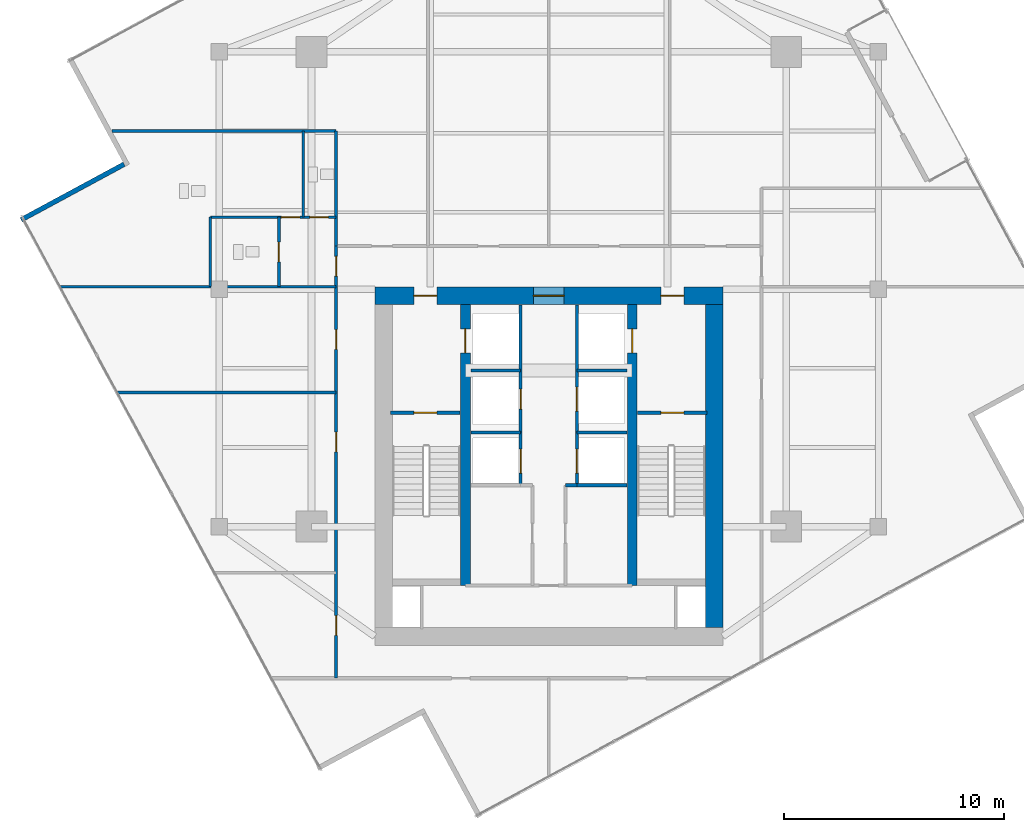
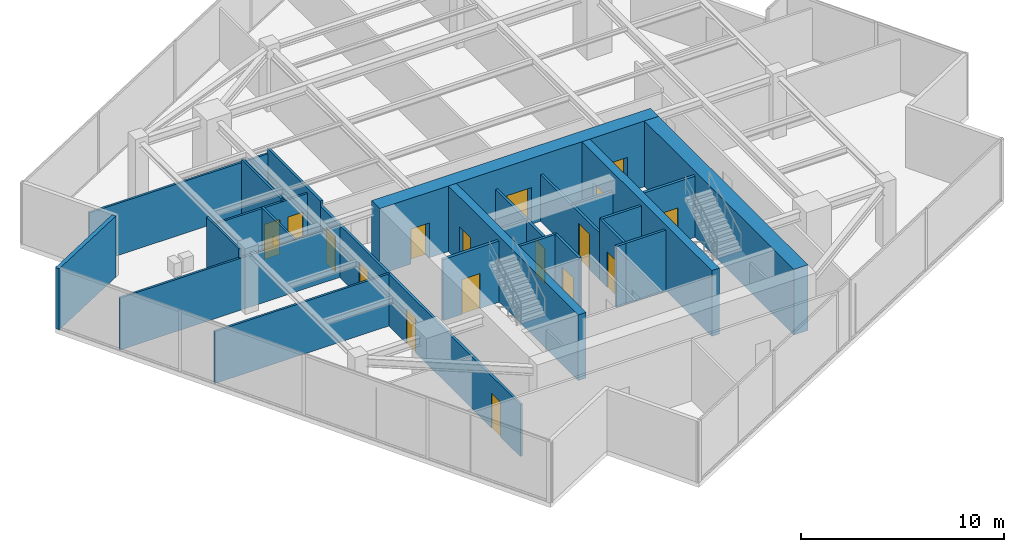
# One storey, part 19 of 22: 26 walls, 18 doors, 18 openings.
"""IFC4 building model written with IfcOpenShell, lengths in metres."""

from ifc_helpers import new_model, si_unit, direction, frame, frame_2d, origin, place, context, subcontext, project, spatial, rectangle, extrude, material, layer, layer_set, type_object, element, fill, save


model = new_model("IFC4")

# Units and contexts
model_context = context("Model", 3, precision=1e-05, world=origin(), true_north=direction((0.0, 1.0)))
body_context = subcontext(model_context, "Body", "Model", "MODEL_VIEW")
ifc_project = project(units=[si_unit("LENGTHUNIT", "METRE"), si_unit("AREAUNIT", "SQUARE_METRE"), si_unit("VOLUMEUNIT", "CUBIC_METRE"), si_unit("PLANEANGLEUNIT", "RADIAN"), si_unit("MASSUNIT", "GRAM", prefix="KILO")], contexts=[model_context])

# Site, building, storey
site_placement = place(None, origin())
site = spatial("IfcSite", under=ifc_project, at=site_placement, CompositionType="ELEMENT")
building_placement = place(site_placement, origin())
building = spatial("IfcBuilding", under=site, at=building_placement, Name="Krantzveldt Concourse Tower", CompositionType="ELEMENT")
storey_placement = place(building_placement, frame((0.0, 0.0, 306.89990234375)))
storey = spatial("IfcBuildingStorey", under=building, at=storey_placement, Name="L75", CompositionType="ELEMENT", Elevation=306.89990234375)

# Walls
ifc_material_1 = material(Name="Anodised aluminium 6063-T6", Category="aluminium")
ifc_layer_1 = layer(ifc_material_1, 0.219970703125, Name="Anodised aluminium 6063-T6", Category="aluminium")
ifc_layer_set_1 = layer_set([ifc_layer_1], Name="Anodised aluminium 6063-T6 (WL-EXT-NOTCH220)")
wall_type_1 = type_object("IfcWallType", Name="WL-EXT-NOTCH220", PredefinedType="ELEMENTEDWALL", material=ifc_layer_set_1)
wall_1_placement = place(storey_placement, frame((16.67431640625, 32.38916015625, 0.0), z_axis=(0.0, 0.0, 1.0), x_axis=(-0.879859387449, -0.475234108958, 0.0)))
element("IfcWall", 1, at=wall_1_placement, inside=storey, type_object=wall_type_1, Name="EW-L75-NCH03", PredefinedType="ELEMENTEDWALL", context=body_context, shape_type="SweptSolid", body=[
    extrude(rectangle(XDim=5.32470703125, YDim=0.219970703125, at=frame_2d((2.662353515625, 0.0))), origin(), (0.0, 0.0, 1.0), 3.670166015625),
])
ifc_material_2 = material(Name="Fire-rated gypsum plasterboard on steel stud", Category="steel")
ifc_layer_2 = layer(ifc_material_2, 0.1201171875, Name="Fire-rated gypsum plasterboard on steel stud", Category="steel")
ifc_layer_set_2 = layer_set([ifc_layer_2], Name="Fire-rated gypsum plasterboard on steel stud (WL-PART-120)")
wall_type_2 = type_object("IfcWallType", Name="WL-PART-120", PredefinedType="PARTITIONING", material=ifc_layer_set_2)
wall_2_placement = place(storey_placement, frame((13.760986328125, 26.820068359375, 0.0), z_axis=(0.0, 0.0, 1.0), x_axis=(1.0, 0.0, 0.0)))
element("IfcWall", 2, at=wall_2_placement, inside=storey, type_object=wall_type_2, Name="WP-L75-WCBS", PredefinedType="PARTITIONING", context=body_context, shape_type="SweptSolid", body=[
    extrude(rectangle(XDim=12.55908203125, YDim=0.1201171875, at=frame_2d((6.279541015625, 0.0))), origin(), (0.0, 0.0, 1.0), 3.130126953125),
])
wall_3_placement = place(storey_placement, frame((16.114013671875, 33.89990234375, 0.0), z_axis=(0.0, 0.0, 1.0), x_axis=(1.0, 0.0, 0.0)))
element("IfcWall", 3, at=wall_3_placement, inside=storey, type_object=wall_type_2, Name="WP-L75-WCBN", PredefinedType="PARTITIONING", context=body_context, shape_type="SweptSolid", body=[
    extrude(rectangle(XDim=10.2060546875, YDim=0.1201171875, at=frame_2d((5.10302734375, 0.0))), origin(), (0.0, 0.0, 1.0), 3.130126953125),
])

# Wall, openings, doors
wall_4_placement = place(storey_placement, frame((20.60009765625, 29.97998046875, 0.0), z_axis=(0.0, 0.0, 1.0), x_axis=(1.0, 0.0, 0.0)))
wall_4 = element("IfcWall", 4, at=wall_4_placement, inside=storey, type_object=wall_type_2, Name="WP-L75-WCMH", PredefinedType="PARTITIONING", context=body_context, shape_type="SweptSolid", body=[
    extrude(rectangle(XDim=5.719970703125, YDim=0.1201171875, at=frame_2d((2.85986328125, 0.0))), origin(), (0.0, 0.0, 1.0), 3.130126953125),
])
opening_1_placement = place(wall_4_placement, frame((3.22509765625, 0.0, 0.0)))
opening_1 = element("IfcOpeningElement", 5, at=opening_1_placement, cuts=wall_4, Name="Opening D-IN085", PredefinedType="OPENING", context=body_context, shape_type="SweptSolid", body=[
    extrude(rectangle(XDim=0.85009765625, YDim=2.10009765625, at=frame_2d((0.425048828125, 1.050048828125))), frame((0.0, 0.070068359375, 0.0), z_axis=(0.0, -1.0, 0.0), x_axis=(1.0, 0.0, 0.0)), (0.0, 0.0, 1.0), 0.14013671875),
])
opening_2_placement = place(wall_4_placement, frame((4.52490234375, 0.0, 0.0)))
opening_2 = element("IfcOpeningElement", 6, at=opening_2_placement, cuts=wall_4, Name="Opening D-IN085", PredefinedType="OPENING", context=body_context, shape_type="SweptSolid", body=[
    extrude(rectangle(XDim=0.85009765625, YDim=2.10009765625, at=frame_2d((0.425048828125, 1.050048828125))), frame((0.0, 0.070068359375, 0.0), z_axis=(0.0, -1.0, 0.0), x_axis=(1.0, 0.0, 0.0)), (0.0, 0.0, 1.0), 0.14013671875),
])
ifc_material_3 = material(Name="Hardwood timber", Category="wood")
door_type_1 = type_object("IfcDoorType", Name="DR-INT-850", OperationType="SINGLE_SWING_LEFT", PredefinedType="DOOR", material=ifc_material_3)
door_1_placement = place(opening_1_placement, origin())
door_1 = element("IfcDoor", 7, at=door_1_placement, inside=storey, type_object=door_type_1, Name="DR-L75-WCM", OperationType="SINGLE_SWING_LEFT", OverallHeight=2.10009765625, OverallWidth=0.85009765625, PredefinedType="DOOR", context=body_context, shape_type="SweptSolid", body=[
    extrude(rectangle(XDim=0.85009765625, YDim=2.10009765625, at=frame_2d((0.425048828125, 1.050048828125))), frame((0.0, 0.02490234375, 0.0), z_axis=(0.0, -1.0, 0.0), x_axis=(1.0, 0.0, 0.0)), (0.0, 0.0, 1.0), 0.050048828125),
])
fill(opening_1, door_1)
door_2_placement = place(opening_2_placement, origin())
door_2 = element("IfcDoor", 8, at=door_2_placement, inside=storey, type_object=door_type_1, Name="DR-L75-WCF", OperationType="SINGLE_SWING_RIGHT", OverallHeight=2.10009765625, OverallWidth=0.85009765625, PredefinedType="DOOR", context=body_context, shape_type="SweptSolid", body=[
    extrude(rectangle(XDim=0.85009765625, YDim=2.10009765625, at=frame_2d((0.425048828125, 1.050048828125))), frame((0.0, 0.02490234375, 0.0), z_axis=(0.0, -1.0, 0.0), x_axis=(1.0, 0.0, 0.0)), (0.0, 0.0, 1.0), 0.050048828125),
])
fill(opening_2, door_2)

# Wall
wall_5_placement = place(storey_placement, frame((20.60009765625, 26.820068359375, 0.0), z_axis=(0.0, 0.0, 1.0), x_axis=(0.0, 1.0, 0.0)))
element("IfcWall", 9, at=wall_5_placement, inside=storey, type_object=wall_type_2, Name="WP-L75-WCAL", PredefinedType="PARTITIONING", context=body_context, shape_type="SweptSolid", body=[
    extrude(rectangle(XDim=3.159912109375, YDim=0.1201171875, at=frame_2d((1.580078125, 0.0))), origin(), (0.0, 0.0, 1.0), 3.670166015625),
])

# Wall, opening, door
wall_6_placement = place(storey_placement, frame((23.719970703125, 26.820068359375, 0.0), z_axis=(0.0, 0.0, 1.0), x_axis=(0.0, 1.0, 0.0)))
wall_6 = element("IfcWall", 10, at=wall_6_placement, inside=storey, type_object=wall_type_2, Name="WP-L75-WCAV", PredefinedType="PARTITIONING", context=body_context, shape_type="SweptSolid", body=[
    extrude(rectangle(XDim=3.159912109375, YDim=0.1201171875, at=frame_2d((1.580078125, 0.0))), origin(), (0.0, 0.0, 1.0), 3.18017578125),
])
opening_3_placement = place(wall_6_placement, frame((1.1298828125, 0.0, 0.0)))
opening_3 = element("IfcOpeningElement", 11, at=opening_3_placement, cuts=wall_6, Name="Opening D-IN090", PredefinedType="OPENING", context=body_context, shape_type="SweptSolid", body=[
    extrude(rectangle(XDim=0.89990234375, YDim=2.10009765625, at=frame_2d((0.449951171875, 1.050048828125))), frame((0.0, 0.070068359375, 0.0), z_axis=(0.0, -1.0, 0.0), x_axis=(1.0, 0.0, 0.0)), (0.0, 0.0, 1.0), 0.14013671875),
])
door_type_2 = type_object("IfcDoorType", Name="DR-INT-900", OperationType="SINGLE_SWING_LEFT", PredefinedType="DOOR", material=ifc_material_3)
door_3_placement = place(opening_3_placement, origin())
door_3 = element("IfcDoor", 12, at=door_3_placement, inside=storey, type_object=door_type_2, Name="DR-L75-WCA", OperationType="SINGLE_SWING_LEFT", OverallHeight=2.10009765625, OverallWidth=0.89990234375, PredefinedType="DOOR", context=body_context, shape_type="SweptSolid", body=[
    extrude(rectangle(XDim=0.89990234375, YDim=2.10009765625, at=frame_2d((0.449951171875, 1.050048828125))), frame((0.0, 0.02490234375, 0.0), z_axis=(0.0, -1.0, 0.0), x_axis=(1.0, 0.0, 0.0)), (0.0, 0.0, 1.0), 0.050048828125),
])
fill(opening_3, door_3)

# Walls
wall_7_placement = place(storey_placement, frame((24.820068359375, 29.97998046875, 0.0), z_axis=(0.0, 0.0, 1.0), x_axis=(0.0, 1.0, 0.0)))
element("IfcWall", 13, at=wall_7_placement, inside=storey, type_object=wall_type_2, Name="WP-L75-WCFD", PredefinedType="PARTITIONING", context=body_context, shape_type="SweptSolid", body=[
    extrude(rectangle(XDim=3.919921875, YDim=0.1201171875, at=frame_2d((1.9599609375, 0.0))), origin(), (0.0, 0.0, 1.0), 3.31005859375),
])
wall_8_placement = place(storey_placement, frame((16.364501953125, 22.0, 0.0), z_axis=(0.0, 0.0, 1.0), x_axis=(1.0, 0.0, 0.0)))
element("IfcWall", 14, at=wall_8_placement, inside=storey, type_object=wall_type_2, Name="WP-L75-WD2", PredefinedType="PARTITIONING", context=body_context, shape_type="SweptSolid", body=[
    extrude(rectangle(XDim=9.95556640625, YDim=0.1201171875, at=frame_2d((4.977783203125, 0.0))), origin(), (0.0, 0.0, 1.0), 3.130126953125),
])

# Wall, openings, doors
ifc_layer_3 = layer(ifc_material_2, 0.139892578125, Name="Fire-rated gypsum plasterboard on steel stud", Category="steel")
ifc_layer_set_3 = layer_set([ifc_layer_3], Name="Fire-rated gypsum plasterboard on steel stud (WL-PART-140)")
wall_type_3 = type_object("IfcWallType", Name="WL-PART-140", PredefinedType="PARTITIONING", material=ifc_layer_set_3)
wall_9_placement = place(storey_placement, frame((26.320068359375, 9.0, 0.0), z_axis=(0.0, 0.0, 1.0), x_axis=(0.0, 1.0, 0.0)))
wall_9 = element("IfcWall", 15, at=wall_9_placement, inside=storey, type_object=wall_type_3, Name="WP-L75-CWEST", PredefinedType="PARTITIONING", context=body_context, shape_type="SweptSolid", body=[
    extrude(rectangle(XDim=19.659912109375, YDim=0.139892578125, at=frame_2d((9.830078125, 0.0))), origin(), (0.0, 0.0, 1.0), 3.130126953125),
])
opening_4_placement = place(wall_9_placement, frame((18.300048828125, 0.0, 0.0)))
opening_4 = element("IfcOpeningElement", 16, at=opening_4_placement, cuts=wall_9, Name="Opening D-IN090", PredefinedType="OPENING", context=body_context, shape_type="SweptSolid", body=[
    extrude(rectangle(XDim=0.89990234375, YDim=2.10009765625, at=frame_2d((0.449951171875, 1.050048828125))), frame((0.0, 0.080078125, 0.0), z_axis=(0.0, -1.0, 0.0), x_axis=(1.0, 0.0, 0.0)), (0.0, 0.0, 1.0), 0.159912109375),
])
opening_5_placement = place(wall_9_placement, frame((1.949951171875, 0.0, 0.0)))
opening_5 = element("IfcOpeningElement", 17, at=opening_5_placement, cuts=wall_9, Name="Opening D-IN090", PredefinedType="OPENING", context=body_context, shape_type="SweptSolid", body=[
    extrude(rectangle(XDim=0.89990234375, YDim=2.10009765625, at=frame_2d((0.449951171875, 1.050048828125))), frame((0.0, 0.080078125, 0.0), z_axis=(0.0, -1.0, 0.0), x_axis=(1.0, 0.0, 0.0)), (0.0, 0.0, 1.0), 0.159912109375),
])
opening_6_placement = place(wall_9_placement, frame((10.300048828125, 0.0, 0.0)))
opening_6 = element("IfcOpeningElement", 18, at=opening_6_placement, cuts=wall_9, Name="Opening D-IN090", PredefinedType="OPENING", context=body_context, shape_type="SweptSolid", body=[
    extrude(rectangle(XDim=0.89990234375, YDim=2.10009765625, at=frame_2d((0.449951171875, 1.050048828125))), frame((0.0, 0.080078125, 0.0), z_axis=(0.0, -1.0, 0.0), x_axis=(1.0, 0.0, 0.0)), (0.0, 0.0, 1.0), 0.159912109375),
])
opening_7_placement = place(wall_9_placement, frame((14.9599609375, 0.0, 0.0)))
opening_7 = element("IfcOpeningElement", 19, at=opening_7_placement, cuts=wall_9, Name="Opening D-IN090", PredefinedType="OPENING", context=body_context, shape_type="SweptSolid", body=[
    extrude(rectangle(XDim=0.89990234375, YDim=2.10009765625, at=frame_2d((0.449951171875, 1.050048828125))), frame((0.0, 0.080078125, 0.0), z_axis=(0.0, -1.0, 0.0), x_axis=(1.0, 0.0, 0.0)), (0.0, 0.0, 1.0), 0.159912109375),
])
door_4_placement = place(opening_4_placement, origin())
door_4 = element("IfcDoor", 20, at=door_4_placement, inside=storey, type_object=door_type_2, Name="DR-L75-WCV", OperationType="SINGLE_SWING_LEFT", OverallHeight=2.10009765625, OverallWidth=0.89990234375, PredefinedType="DOOR", context=body_context, shape_type="SweptSolid", body=[
    extrude(rectangle(XDim=0.89990234375, YDim=2.10009765625, at=frame_2d((0.449951171875, 1.050048828125))), frame((0.0, 0.02490234375, 0.0), z_axis=(0.0, -1.0, 0.0), x_axis=(1.0, 0.0, 0.0)), (0.0, 0.0, 1.0), 0.050048828125),
])
fill(opening_4, door_4)
door_5_placement = place(opening_5_placement, origin())
door_5 = element("IfcDoor", 21, at=door_5_placement, inside=storey, type_object=door_type_2, Name="DR-L75-WR1", OperationType="SINGLE_SWING_LEFT", OverallHeight=2.10009765625, OverallWidth=0.89990234375, PredefinedType="DOOR", context=body_context, shape_type="SweptSolid", body=[
    extrude(rectangle(XDim=0.89990234375, YDim=2.10009765625, at=frame_2d((0.449951171875, 1.050048828125))), frame((0.0, 0.02490234375, 0.0), z_axis=(0.0, -1.0, 0.0), x_axis=(1.0, 0.0, 0.0)), (0.0, 0.0, 1.0), 0.050048828125),
])
fill(opening_5, door_5)
door_6_placement = place(opening_6_placement, origin())
door_6 = element("IfcDoor", 22, at=door_6_placement, inside=storey, type_object=door_type_2, Name="DR-L75-WR2", OperationType="SINGLE_SWING_LEFT", OverallHeight=2.10009765625, OverallWidth=0.89990234375, PredefinedType="DOOR", context=body_context, shape_type="SweptSolid", body=[
    extrude(rectangle(XDim=0.89990234375, YDim=2.10009765625, at=frame_2d((0.449951171875, 1.050048828125))), frame((0.0, 0.02490234375, 0.0), z_axis=(0.0, -1.0, 0.0), x_axis=(1.0, 0.0, 0.0)), (0.0, 0.0, 1.0), 0.050048828125),
])
fill(opening_6, door_6)
door_7_placement = place(opening_7_placement, origin())
door_7 = element("IfcDoor", 23, at=door_7_placement, inside=storey, type_object=door_type_2, Name="DR-L75-WR3", OperationType="SINGLE_SWING_LEFT", OverallHeight=2.10009765625, OverallWidth=0.89990234375, PredefinedType="DOOR", context=body_context, shape_type="SweptSolid", body=[
    extrude(rectangle(XDim=0.89990234375, YDim=2.10009765625, at=frame_2d((0.449951171875, 1.050048828125))), frame((0.0, 0.02490234375, 0.0), z_axis=(0.0, -1.0, 0.0), x_axis=(1.0, 0.0, 0.0)), (0.0, 0.0, 1.0), 0.050048828125),
])
fill(opening_7, door_7)

# Wall
wall_10_placement = place(storey_placement, frame((26.320068359375, 28.659912109375, 0.0), z_axis=(0.0, 0.0, 1.0), x_axis=(0.0, 1.0, 0.0)))
element("IfcWall", 24, at=wall_10_placement, inside=storey, type_object=wall_type_3, Name="WP-L75-NWL", PredefinedType="PARTITIONING", context=body_context, shape_type="SweptSolid", body=[
    extrude(rectangle(XDim=5.239990234375, YDim=0.139892578125, at=frame_2d((2.6201171875, 0.0))), origin(), (0.0, 0.0, 1.0), 3.43017578125),
])

# Wall, opening, door
ifc_layer_4 = layer(ifc_material_2, 0.139892578125, Name="Fire-rated gypsum plasterboard on steel stud", Category="steel")
ifc_layer_set_4 = layer_set([ifc_layer_4], Name="Fire-rated gypsum plasterboard on steel stud (WL-PART-FR140)")
wall_type_4 = type_object("IfcWallType", Name="WL-PART-FR140", PredefinedType="PARTITIONING", material=ifc_layer_set_4)
wall_11_placement = place(storey_placement, frame((34.719970703125, 20.199951171875, 0.0), z_axis=(0.0, 0.0, 1.0), x_axis=(0.0, 1.0, 0.0)))
wall_11 = element("IfcWall", 25, at=wall_11_placement, inside=storey, type_object=wall_type_4, Name="WP-L75-SHNW", PredefinedType="PARTITIONING", context=body_context, shape_type="SweptSolid", body=[
    extrude(rectangle(XDim=5.780029296875, YDim=0.139892578125, at=frame_2d((2.89013671875, 0.0))), origin(), (0.0, 0.0, 1.0), 2.820068359375),
])
opening_8_placement = place(wall_11_placement, frame((1.050048828125, 0.0, 0.0)))
opening_8 = element("IfcOpeningElement", 26, at=opening_8_placement, cuts=wall_11, Name="Opening D-FD090", PredefinedType="OPENING", context=body_context, shape_type="SweptSolid", body=[
    extrude(rectangle(XDim=0.89990234375, YDim=2.10009765625, at=frame_2d((0.449951171875, 1.050048828125))), frame((0.0, 0.080078125, 0.0), z_axis=(0.0, -1.0, 0.0), x_axis=(1.0, 0.0, 0.0)), (0.0, 0.0, 1.0), 0.159912109375),
])
door_type_3 = type_object("IfcDoorType", Name="DR-FD60-900", OperationType="SINGLE_SWING_LEFT", PredefinedType="DOOR", material=ifc_material_3)
door_8_placement = place(opening_8_placement, origin())
door_8 = element("IfcDoor", 27, at=door_8_placement, inside=storey, type_object=door_type_3, Name="Electrical Riser Access Door L75", OperationType="SINGLE_SWING_LEFT", OverallHeight=2.10009765625, OverallWidth=0.89990234375, PredefinedType="DOOR", context=body_context, shape_type="SweptSolid", body=[
    extrude(rectangle(XDim=0.89990234375, YDim=2.10009765625, at=frame_2d((0.449951171875, 1.050048828125))), frame((0.0, 0.02490234375, 0.0), z_axis=(0.0, -1.0, 0.0), x_axis=(1.0, 0.0, 0.0)), (0.0, 0.0, 1.0), 0.050048828125),
])
fill(opening_8, door_8)

wall_12_placement = place(storey_placement, frame((37.280029296875, 20.199951171875, 0.0), z_axis=(0.0, 0.0, 1.0), x_axis=(0.0, 1.0, 0.0)))
wall_12 = element("IfcWall", 28, at=wall_12_placement, inside=storey, type_object=wall_type_4, Name="WP-L75-SHNE", PredefinedType="PARTITIONING", context=body_context, shape_type="SweptSolid", body=[
    extrude(rectangle(XDim=5.780029296875, YDim=0.139892578125, at=frame_2d((2.89013671875, 0.0))), origin(), (0.0, 0.0, 1.0), 2.820068359375),
])
opening_9_placement = place(wall_12_placement, frame((0.949951171875, 0.0, 0.0)))
opening_9 = element("IfcOpeningElement", 29, at=opening_9_placement, cuts=wall_12, Name="Opening LD", PredefinedType="OPENING", context=body_context, shape_type="SweptSolid", body=[
    extrude(rectangle(XDim=1.10009765625, YDim=2.14990234375, at=frame_2d((0.550048828125, 1.074951171875))), frame((0.0, 0.080078125, 0.0), z_axis=(0.0, -1.0, 0.0), x_axis=(1.0, 0.0, 0.0)), (0.0, 0.0, 1.0), 0.159912109375),
])
ifc_material_4 = material(Name="Stainless steel 316L", Category="steel")
door_type_4 = type_object("IfcDoorType", Name="DR-SLIDE-LD1100", OperationType="DOUBLE_DOOR_SLIDING", PredefinedType="DOOR", material=ifc_material_4)
door_9_placement = place(opening_9_placement, origin())
door_9 = element("IfcDoor", 30, at=door_9_placement, inside=storey, type_object=door_type_4, Name="LD-L75-GL1", OperationType="DOUBLE_DOOR_SLIDING", OverallHeight=2.14990234375, OverallWidth=1.10009765625, PredefinedType="DOOR", context=body_context, shape_type="SweptSolid", body=[
    extrude(rectangle(XDim=1.10009765625, YDim=2.14990234375, at=frame_2d((0.550048828125, 1.074951171875))), frame((0.0, 0.02490234375, 0.0), z_axis=(0.0, -1.0, 0.0), x_axis=(1.0, 0.0, 0.0)), (0.0, 0.0, 1.0), 0.050048828125),
])
fill(opening_9, door_9)

# Walls
for number, where, z_axis, x_axis, name in (
    (31, (32.449951171875, 23.0, 0.0), (0.0, 0.0, 1.0), (1.0, 0.0, 0.0), "WP-L75-RISH"),
    (32, (37.280029296875, 23.0, 0.0), (0.0, 0.0, 1.0), (1.0, 0.0, 0.0), "WP-L75-GLH"),
):
    element("IfcWall", number, at=place(storey_placement, frame(where, z_axis=z_axis, x_axis=x_axis)), inside=storey, type_object=wall_type_4, Name=name, PredefinedType="PARTITIONING", context=body_context, shape_type="SweptSolid", body=[
        extrude(rectangle(XDim=2.27001953125, YDim=0.139892578125, at=frame_2d((1.135009765625, 0.0))), origin(), (0.0, 0.0, 1.0), 2.820068359375),
    ])

# Wall, opening, door
wall_13_placement = place(storey_placement, frame((34.719970703125, 17.780029296875, 0.0), z_axis=(0.0, 0.0, 1.0), x_axis=(0.0, 1.0, 0.0)))
wall_13 = element("IfcWall", 33, at=wall_13_placement, inside=storey, type_object=wall_type_4, Name="WP-L75-SHNW2", PredefinedType="PARTITIONING", context=body_context, shape_type="SweptSolid", body=[
    extrude(rectangle(XDim=2.419921875, YDim=0.139892578125, at=frame_2d((1.2099609375, 0.0))), origin(), (0.0, 0.0, 1.0), 3.670166015625),
])
opening_10_placement = place(wall_13_placement, frame((0.550048828125, 0.0, 0.0)))
opening_10 = element("IfcOpeningElement", 34, at=opening_10_placement, cuts=wall_13, Name="Opening LD", PredefinedType="OPENING", context=body_context, shape_type="SweptSolid", body=[
    extrude(rectangle(XDim=1.10009765625, YDim=2.14990234375, at=frame_2d((0.550048828125, 1.074951171875))), frame((0.0, 0.080078125, 0.0), z_axis=(0.0, -1.0, 0.0), x_axis=(1.0, 0.0, 0.0)), (0.0, 0.0, 1.0), 0.159912109375),
])
door_10_placement = place(opening_10_placement, origin())
door_10 = element("IfcDoor", 35, at=door_10_placement, inside=storey, type_object=door_type_4, Name="LD-L75-PH1", OperationType="DOUBLE_DOOR_SLIDING", OverallHeight=2.14990234375, OverallWidth=1.10009765625, PredefinedType="DOOR", context=body_context, shape_type="SweptSolid", body=[
    extrude(rectangle(XDim=1.10009765625, YDim=2.14990234375, at=frame_2d((0.550048828125, 1.074951171875))), frame((0.0, 0.02490234375, 0.0), z_axis=(0.0, -1.0, 0.0), x_axis=(1.0, 0.0, 0.0)), (0.0, 0.0, 1.0), 0.050048828125),
])
fill(opening_10, door_10)

wall_14_placement = place(storey_placement, frame((37.280029296875, 17.780029296875, 0.0), z_axis=(0.0, 0.0, 1.0), x_axis=(0.0, 1.0, 0.0)))
wall_14 = element("IfcWall", 36, at=wall_14_placement, inside=storey, type_object=wall_type_4, Name="WP-L75-SHNE2", PredefinedType="PARTITIONING", context=body_context, shape_type="SweptSolid", body=[
    extrude(rectangle(XDim=2.419921875, YDim=0.139892578125, at=frame_2d((1.2099609375, 0.0))), origin(), (0.0, 0.0, 1.0), 3.670166015625),
])
opening_11_placement = place(wall_14_placement, frame((0.550048828125, 0.0, 0.0)))
opening_11 = element("IfcOpeningElement", 37, at=opening_11_placement, cuts=wall_14, Name="Opening LD", PredefinedType="OPENING", context=body_context, shape_type="SweptSolid", body=[
    extrude(rectangle(XDim=1.10009765625, YDim=2.14990234375, at=frame_2d((0.550048828125, 1.074951171875))), frame((0.0, 0.080078125, 0.0), z_axis=(0.0, -1.0, 0.0), x_axis=(1.0, 0.0, 0.0)), (0.0, 0.0, 1.0), 0.159912109375),
])
door_11_placement = place(opening_11_placement, origin())
door_11 = element("IfcDoor", 38, at=door_11_placement, inside=storey, type_object=door_type_4, Name="LD-L75-PH2", OperationType="DOUBLE_DOOR_SLIDING", OverallHeight=2.14990234375, OverallWidth=1.10009765625, PredefinedType="DOOR", context=body_context, shape_type="SweptSolid", body=[
    extrude(rectangle(XDim=1.10009765625, YDim=2.14990234375, at=frame_2d((0.550048828125, 1.074951171875))), frame((0.0, 0.02490234375, 0.0), z_axis=(0.0, -1.0, 0.0), x_axis=(1.0, 0.0, 0.0)), (0.0, 0.0, 1.0), 0.050048828125),
])
fill(opening_11, door_11)

# Walls
for number, where, z_axis, x_axis, name in (
    (39, (32.449951171875, 20.179931640625, 0.0), (0.0, 0.0, 1.0), (1.0, 0.0, 0.0), "WP-L75-DIVW3"),
    (40, (37.280029296875, 17.780029296875, 0.0), (0.0, 0.0, 1.0), (1.0, 0.0, 0.0), "WP-L75-DIVE2"),
    (41, (37.280029296875, 20.179931640625, 0.0), (0.0, 0.0, 1.0), (1.0, 0.0, 0.0), "WP-L75-DIVE3"),
):
    element("IfcWall", number, at=place(storey_placement, frame(where, z_axis=z_axis, x_axis=x_axis)), inside=storey, type_object=wall_type_4, Name=name, PredefinedType="PARTITIONING", context=body_context, shape_type="SweptSolid", body=[
        extrude(rectangle(XDim=2.27001953125, YDim=0.139892578125, at=frame_2d((1.135009765625, 0.0))), origin(), (0.0, 0.0, 1.0), 3.670166015625),
    ])
wall_15_placement = place(storey_placement, frame((36.75, 17.780029296875, 0.0), z_axis=(0.0, 0.0, 1.0), x_axis=(1.0, 0.0, 0.0)))
element("IfcWall", 42, at=wall_15_placement, inside=storey, type_object=wall_type_4, Name="WP-L75-RECEN", PredefinedType="PARTITIONING", context=body_context, shape_type="SweptSolid", body=[
    extrude(rectangle(XDim=0.530029296875, YDim=0.139892578125, at=frame_2d((0.26513671875, 0.0))), origin(), (0.0, 0.0, 1.0), 3.670166015625),
])

# Wall, opening, door
ifc_layer_5 = layer(ifc_material_2, 0.159912109375, Name="Fire-rated gypsum plasterboard on steel stud", Category="steel")
ifc_layer_set_5 = layer_set([ifc_layer_5], Name="Fire-rated gypsum plasterboard on steel stud (WL-PART-FR160)")
wall_type_5 = type_object("IfcWallType", Name="WL-PART-FR160", PredefinedType="PARTITIONING", material=ifc_layer_set_5)
wall_16_placement = place(storey_placement, frame((28.800048828125, 21.080078125, 0.0), z_axis=(0.0, 0.0, 1.0), x_axis=(1.0, 0.0, 0.0)))
wall_16 = element("IfcWall", 43, at=wall_16_placement, inside=storey, type_object=wall_type_5, Name="WP-L75-ST1", PredefinedType="PARTITIONING", context=body_context, shape_type="SweptSolid", body=[
    extrude(rectangle(XDim=3.159912109375, YDim=0.159912109375, at=frame_2d((1.580078125, 0.0))), origin(), (0.0, 0.0, 1.0), 3.670166015625),
])
opening_12_placement = place(wall_16_placement, frame((1.054931640625, 0.0, 0.0)))
opening_12 = element("IfcOpeningElement", 44, at=opening_12_placement, cuts=wall_16, Name="Opening D-FD105", PredefinedType="OPENING", context=body_context, shape_type="SweptSolid", body=[
    extrude(rectangle(XDim=1.050048828125, YDim=2.10009765625, at=frame_2d((0.52490234375, 1.050048828125))), frame((0.0, 0.08984375, 0.0), z_axis=(0.0, -1.0, 0.0), x_axis=(1.0, 0.0, 0.0)), (0.0, 0.0, 1.0), 0.179931640625),
])
ifc_material_5 = material(Name="Galvanised steel", Category="steel")
door_type_5 = type_object("IfcDoorType", Name="DR-FD120-1050", OperationType="SINGLE_SWING_LEFT", PredefinedType="DOOR", material=ifc_material_5)
door_12_placement = place(opening_12_placement, origin())
door_12 = element("IfcDoor", 45, at=door_12_placement, inside=storey, type_object=door_type_5, Name="DR-L75-ST1", OperationType="SINGLE_SWING_RIGHT", OverallHeight=2.10009765625, OverallWidth=1.050048828125, PredefinedType="DOOR", context=body_context, shape_type="SweptSolid", body=[
    extrude(rectangle(XDim=1.050048828125, YDim=2.10009765625, at=frame_2d((0.52490234375, 1.050048828125))), frame((0.0, 0.02490234375, 0.0), z_axis=(0.0, -1.0, 0.0), x_axis=(1.0, 0.0, 0.0)), (0.0, 0.0, 1.0), 0.050048828125),
])
fill(opening_12, door_12)

wall_17_placement = place(storey_placement, frame((40.0400390625, 21.080078125, 0.0), z_axis=(0.0, 0.0, 1.0), x_axis=(1.0, 0.0, 0.0)))
wall_17 = element("IfcWall", 46, at=wall_17_placement, inside=storey, type_object=wall_type_5, Name="WP-L75-ST2", PredefinedType="PARTITIONING", context=body_context, shape_type="SweptSolid", body=[
    extrude(rectangle(XDim=3.159912109375, YDim=0.159912109375, at=frame_2d((1.580078125, 0.0))), origin(), (0.0, 0.0, 1.0), 3.670166015625),
])
opening_13_placement = place(wall_17_placement, frame((1.054931640625, 0.0, 0.0)))
opening_13 = element("IfcOpeningElement", 47, at=opening_13_placement, cuts=wall_17, Name="Opening D-FD105", PredefinedType="OPENING", context=body_context, shape_type="SweptSolid", body=[
    extrude(rectangle(XDim=1.050048828125, YDim=2.10009765625, at=frame_2d((0.52490234375, 1.050048828125))), frame((0.0, 0.08984375, 0.0), z_axis=(0.0, -1.0, 0.0), x_axis=(1.0, 0.0, 0.0)), (0.0, 0.0, 1.0), 0.179931640625),
])
door_13_placement = place(opening_13_placement, origin())
door_13 = element("IfcDoor", 48, at=door_13_placement, inside=storey, type_object=door_type_5, Name="DR-L75-ST2", OperationType="SINGLE_SWING_LEFT", OverallHeight=2.10009765625, OverallWidth=1.050048828125, PredefinedType="DOOR", context=body_context, shape_type="SweptSolid", body=[
    extrude(rectangle(XDim=1.050048828125, YDim=2.10009765625, at=frame_2d((0.52490234375, 1.050048828125))), frame((0.0, 0.02490234375, 0.0), z_axis=(0.0, -1.0, 0.0), x_axis=(1.0, 0.0, 0.0)), (0.0, 0.0, 1.0), 0.050048828125),
])
fill(opening_13, door_13)

ifc_material_6 = material(Name="Concrete C50/60", Category="concrete")
ifc_layer_6 = layer(ifc_material_6, 0.449951171875, Name="Concrete C50/60", Category="concrete")
ifc_layer_set_6 = layer_set([ifc_layer_6], Name="Concrete C50/60 (WL-SHEAR-450)")
wall_type_6 = type_object("IfcWallType", Name="WL-SHEAR-450", PredefinedType="SHEAR", material=ifc_layer_set_6)
wall_18_placement = place(storey_placement, frame((32.205078125, 13.219970703125, 0.0), z_axis=(0.0, 0.0, 1.0), x_axis=(0.0, 1.0, 0.0)))
wall_18 = element("IfcWall", 49, at=wall_18_placement, inside=storey, type_object=wall_type_6, Name="CW-L75-IW", PredefinedType="SHEAR", context=body_context, shape_type="SweptSolid", body=[
    extrude(rectangle(XDim=12.780029296875, YDim=0.449951171875, at=frame_2d((6.39013671875, 0.0))), origin(), (0.0, 0.0, 1.0), 3.9501953125),
])
opening_14_placement = place(wall_18_placement, frame((10.580078125, 0.0, 0.0)))
opening_14 = element("IfcOpeningElement", 50, at=opening_14_placement, cuts=wall_18, Name="Opening LD", PredefinedType="OPENING", context=body_context, shape_type="SweptSolid", body=[
    extrude(rectangle(XDim=1.10009765625, YDim=2.14990234375, at=frame_2d((0.550048828125, 1.074951171875))), frame((0.0, 0.23486328125, 0.0), z_axis=(0.0, -1.0, 0.0), x_axis=(1.0, 0.0, 0.0)), (0.0, 0.0, 1.0), 0.469970703125),
])
door_14_placement = place(opening_14_placement, origin())
door_14 = element("IfcDoor", 51, at=door_14_placement, inside=storey, type_object=door_type_4, Name="LD-L75-FL1", OperationType="DOUBLE_DOOR_SLIDING", OverallHeight=2.14990234375, OverallWidth=1.10009765625, PredefinedType="DOOR", context=body_context, shape_type="SweptSolid", body=[
    extrude(rectangle(XDim=1.10009765625, YDim=2.14990234375, at=frame_2d((0.550048828125, 1.074951171875))), frame((0.0, 0.02490234375, 0.0), z_axis=(0.0, -1.0, 0.0), x_axis=(1.0, 0.0, 0.0)), (0.0, 0.0, 1.0), 0.050048828125),
])
fill(opening_14, door_14)

wall_19_placement = place(storey_placement, frame((39.794921875, 13.219970703125, 0.0), z_axis=(0.0, 0.0, 1.0), x_axis=(0.0, 1.0, 0.0)))
wall_19 = element("IfcWall", 52, at=wall_19_placement, inside=storey, type_object=wall_type_6, Name="CW-L75-IE", PredefinedType="SHEAR", context=body_context, shape_type="SweptSolid", body=[
    extrude(rectangle(XDim=12.780029296875, YDim=0.449951171875, at=frame_2d((6.39013671875, 0.0))), origin(), (0.0, 0.0, 1.0), 3.9501953125),
])
opening_15_placement = place(wall_19_placement, frame((10.580078125, 0.0, 0.0)))
opening_15 = element("IfcOpeningElement", 53, at=opening_15_placement, cuts=wall_19, Name="Opening LD", PredefinedType="OPENING", context=body_context, shape_type="SweptSolid", body=[
    extrude(rectangle(XDim=1.10009765625, YDim=2.14990234375, at=frame_2d((0.550048828125, 1.074951171875))), frame((0.0, 0.23486328125, 0.0), z_axis=(0.0, -1.0, 0.0), x_axis=(1.0, 0.0, 0.0)), (0.0, 0.0, 1.0), 0.469970703125),
])
door_15_placement = place(opening_15_placement, origin())
door_15 = element("IfcDoor", 54, at=door_15_placement, inside=storey, type_object=door_type_4, Name="LD-L75-FL2", OperationType="DOUBLE_DOOR_SLIDING", OverallHeight=2.14990234375, OverallWidth=1.10009765625, PredefinedType="DOOR", context=body_context, shape_type="SweptSolid", body=[
    extrude(rectangle(XDim=1.10009765625, YDim=2.14990234375, at=frame_2d((0.550048828125, 1.074951171875))), frame((0.0, 0.02490234375, 0.0), z_axis=(0.0, -1.0, 0.0), x_axis=(1.0, 0.0, 0.0)), (0.0, 0.0, 1.0), 0.050048828125),
])
fill(opening_15, door_15)

# Wall, openings, doors
ifc_material_7 = material(Name="Concrete C60/75", Category="concrete")
ifc_layer_7 = layer(ifc_material_7, 0.800048828125, Name="Concrete C60/75", Category="concrete")
ifc_layer_set_7 = layer_set([ifc_layer_7], Name="Concrete C60/75 (WL-SHEAR-800)")
wall_type_7 = type_object("IfcWallType", Name="WL-SHEAR-800", PredefinedType="SHEAR", material=ifc_layer_set_7)
wall_20_placement = place(storey_placement, frame((28.080078125, 26.39990234375, 0.0), z_axis=(0.0, 0.0, 1.0), x_axis=(1.0, 0.0, 0.0)))
wall_20 = element("IfcWall", 55, at=wall_20_placement, inside=storey, type_object=wall_type_7, Name="CW-L75-N", PredefinedType="SHEAR", context=body_context, shape_type="SweptSolid", body=[
    extrude(rectangle(XDim=15.83984375, YDim=0.800048828125, at=frame_2d((7.919921875, 0.0))), origin(), (0.0, 0.0, 1.0), 3.9501953125),
])
opening_16_placement = place(wall_20_placement, frame((7.219970703125, 0.0, 0.0)))
opening_16 = element("IfcOpeningElement", 56, at=opening_16_placement, cuts=wall_20, Name="Opening D-DB140", PredefinedType="OPENING", context=body_context, shape_type="SweptSolid", body=[
    extrude(rectangle(XDim=1.39990234375, YDim=2.199951171875, at=frame_2d((0.699951171875, 1.10009765625))), frame((0.0, 0.41015625, 0.0), z_axis=(0.0, -1.0, 0.0), x_axis=(1.0, 0.0, 0.0)), (0.0, 0.0, 1.0), 0.820068359375),
])
opening_17_placement = place(wall_20_placement, frame((1.77490234375, 0.0, 0.0)))
opening_17 = element("IfcOpeningElement", 57, at=opening_17_placement, cuts=wall_20, Name="Opening D-FD105", PredefinedType="OPENING", context=body_context, shape_type="SweptSolid", body=[
    extrude(rectangle(XDim=1.050048828125, YDim=2.10009765625, at=frame_2d((0.52490234375, 1.050048828125))), frame((0.0, 0.41015625, 0.0), z_axis=(0.0, -1.0, 0.0), x_axis=(1.0, 0.0, 0.0)), (0.0, 0.0, 1.0), 0.820068359375),
])
opening_18_placement = place(wall_20_placement, frame((13.014892578125, 0.0, 0.0)))
opening_18 = element("IfcOpeningElement", 58, at=opening_18_placement, cuts=wall_20, Name="Opening D-FD105", PredefinedType="OPENING", context=body_context, shape_type="SweptSolid", body=[
    extrude(rectangle(XDim=1.050048828125, YDim=2.10009765625, at=frame_2d((0.52490234375, 1.050048828125))), frame((0.0, 0.41015625, 0.0), z_axis=(0.0, -1.0, 0.0), x_axis=(1.0, 0.0, 0.0)), (0.0, 0.0, 1.0), 0.820068359375),
])
door_type_6 = type_object("IfcDoorType", Name="DR-DBL-1400", OperationType="DOUBLE_DOOR_SINGLE_SWING", PredefinedType="DOOR", material=ifc_material_1)
door_16_placement = place(opening_16_placement, origin())
door_16 = element("IfcDoor", 59, at=door_16_placement, inside=storey, type_object=door_type_6, Name="DR-L75-LLB", OperationType="DOUBLE_DOOR_SINGLE_SWING", OverallHeight=2.199951171875, OverallWidth=1.39990234375, PredefinedType="DOOR", context=body_context, shape_type="SweptSolid", body=[
    extrude(rectangle(XDim=1.39990234375, YDim=2.199951171875, at=frame_2d((0.699951171875, 1.10009765625))), frame((0.0, 0.02490234375, 0.0), z_axis=(0.0, -1.0, 0.0), x_axis=(1.0, 0.0, 0.0)), (0.0, 0.0, 1.0), 0.050048828125),
])
fill(opening_16, door_16)
door_17_placement = place(opening_17_placement, origin())
door_17 = element("IfcDoor", 60, at=door_17_placement, inside=storey, type_object=door_type_5, Name="DR-L75-FFL1", OperationType="SINGLE_SWING_LEFT", OverallHeight=2.10009765625, OverallWidth=1.050048828125, PredefinedType="DOOR", context=body_context, shape_type="SweptSolid", body=[
    extrude(rectangle(XDim=1.050048828125, YDim=2.10009765625, at=frame_2d((0.52490234375, 1.050048828125))), frame((0.0, 0.02490234375, 0.0), z_axis=(0.0, -1.0, 0.0), x_axis=(1.0, 0.0, 0.0)), (0.0, 0.0, 1.0), 0.050048828125),
])
fill(opening_17, door_17)
door_18_placement = place(opening_18_placement, origin())
door_18 = element("IfcDoor", 61, at=door_18_placement, inside=storey, type_object=door_type_5, Name="DR-L75-FFL2", OperationType="SINGLE_SWING_RIGHT", OverallHeight=2.10009765625, OverallWidth=1.050048828125, PredefinedType="DOOR", context=body_context, shape_type="SweptSolid", body=[
    extrude(rectangle(XDim=1.050048828125, YDim=2.10009765625, at=frame_2d((0.52490234375, 1.050048828125))), frame((0.0, 0.02490234375, 0.0), z_axis=(0.0, -1.0, 0.0), x_axis=(1.0, 0.0, 0.0)), (0.0, 0.0, 1.0), 0.050048828125),
])
fill(opening_18, door_18)

# Wall
wall_21_placement = place(storey_placement, frame((43.52001953125, 11.300048828125, 0.0), z_axis=(0.0, 0.0, 1.0), x_axis=(0.0, 1.0, 0.0)))
element("IfcWall", 62, at=wall_21_placement, inside=storey, type_object=wall_type_7, Name="CW-L75-E", PredefinedType="SHEAR", context=body_context, shape_type="SweptSolid", body=[
    extrude(rectangle(XDim=14.699951171875, YDim=0.800048828125, at=frame_2d((7.35009765625, 0.0))), origin(), (0.0, 0.0, 1.0), 3.9501953125),
])

save(model, "model.ifc")
